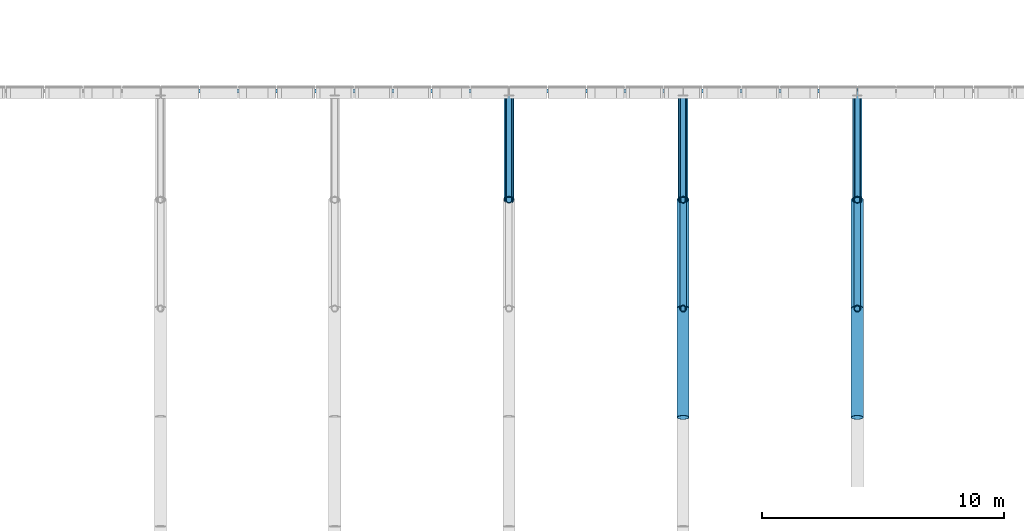
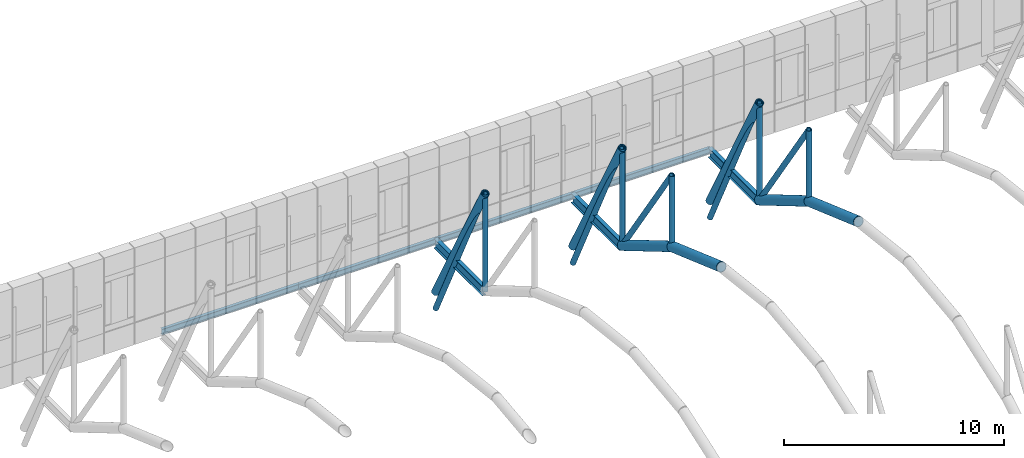
# One storey, part 36 of 144: 17 members, 7 beams.
"""IFC4 building model written with IfcOpenShell, lengths in metres."""

import ifcopenshell
import ifcopenshell.guid

model = None  # the IFC model being written
_history = None  # IfcOwnerHistory: only IFC2X3 demands one
_inside = {}  # id of a spatial element -> (the spatial element, [elements in it])
_under = {}  # id of a project, library or spatial element -> (it, [spatial elements below it])
_declared = {}  # id of a project -> (the project, [libraries it declares])
_typed = {}  # id of a type object -> (the type object, [elements of that type])
_made_of = {}  # id of a material, layer set ... -> (it, [elements and type objects made of it])


def new_model(schema):
    """Start an empty IFC model of exactly this schema.

    Asked for "IFC4X3", IfcOpenShell would pick the latest addendum, in which some entities
    have other attributes; the version numbers below select the first issue.
    IFC2X3 requires an IfcOwnerHistory on every rooted entity: one is made here for all.
    """
    global model, _history
    if schema == "IFC4X3":
        model = ifcopenshell.file(schema_version=(4, 3, 0, 0))
    else:
        model = ifcopenshell.file(schema=schema)
    _inside.clear()
    _under.clear()
    _declared.clear()
    _typed.clear()
    _made_of.clear()
    _history = None
    if model.schema == "IFC2X3":
        org = make("IfcOrganization", Name="unknown")
        user = make(
            "IfcPersonAndOrganization",
            ThePerson=make("IfcPerson", FamilyName="unknown"),
            TheOrganization=org,
        )
        app = make(
            "IfcApplication",
            ApplicationDeveloper=org,
            Version="unknown",
            ApplicationFullName="unknown",
            ApplicationIdentifier="unknown",
        )
        _history = make(
            "IfcOwnerHistory",
            OwningUser=user,
            OwningApplication=app,
            ChangeAction="ADDED",
            CreationDate=0,
        )
    return model


def make(cls, **values):
    """One entity of the class cls with the attributes given. An attribute that is None is left unset."""
    return model.create_entity(
        cls, **{name: value for name, value in values.items() if value is not None}
    )


def rooted(cls, **values):
    """An entity with a GlobalId (a new one), such as an element, a storey or a relation."""
    return make(cls, GlobalId=ifcopenshell.guid.new(), OwnerHistory=_history, **values)


def si_unit(unit_type, name, prefix=None):
    """IfcSIUnit, for example si_unit("LENGTHUNIT", "METRE", prefix="MILLI")."""
    return make("IfcSIUnit", UnitType=unit_type, Prefix=prefix, Name=name)


def assignment(units):
    """IfcUnitAssignment: the units of a project."""
    return None if units is None else make("IfcUnitAssignment", Units=units)


def point(xyz):
    """IfcCartesianPoint."""
    return None if xyz is None else make("IfcCartesianPoint", Coordinates=xyz)


def direction(xyz):
    """IfcDirection."""
    return None if xyz is None else make("IfcDirection", DirectionRatios=xyz)


def frame(location, z_axis=None, x_axis=None):
    """IfcAxis2Placement3D, a coordinate frame: its origin and axes. An axis left out is left unset."""
    return make(
        "IfcAxis2Placement3D",
        Location=point(location),
        Axis=direction(z_axis),
        RefDirection=direction(x_axis),
    )


def frame_2d(location, x_axis=None):
    """IfcAxis2Placement2D, a coordinate frame in the plane: its origin and x axis."""
    return make(
        "IfcAxis2Placement2D", Location=point(location), RefDirection=direction(x_axis)
    )


def origin():
    """The frame at (0, 0, 0) with its axes left unset."""
    return frame((0.0, 0.0, 0.0))


def origin_2d():
    """The frame at (0, 0) in the plane with its x axis left unset."""
    return frame_2d((0.0, 0.0))


def place(relative_to, where):
    """IfcLocalPlacement: puts the frame where relative to a parent placement (None: the world)."""
    return make(
        "IfcLocalPlacement", PlacementRelTo=relative_to, RelativePlacement=where
    )


def context(
    kind, dimensions, precision=None, world=None, true_north=None, identifier=None
):
    """IfcGeometricRepresentationContext, for example the 3D "Model" context."""
    return make(
        "IfcGeometricRepresentationContext",
        ContextIdentifier=identifier,
        ContextType=kind,
        CoordinateSpaceDimension=dimensions,
        Precision=precision,
        WorldCoordinateSystem=world,
        TrueNorth=true_north,
    )


def subcontext(parent, identifier, kind, view, scale=None):
    """IfcGeometricRepresentationSubContext, for example "Body" below "Model"."""
    return make(
        "IfcGeometricRepresentationSubContext",
        ContextIdentifier=identifier,
        ContextType=kind,
        ParentContext=parent,
        TargetScale=scale,
        TargetView=view,
    )


def project(units=None, contexts=None):
    """IfcProject with its units and contexts."""
    return rooted(
        "IfcProject",
        Name="project",
        RepresentationContexts=contexts,
        UnitsInContext=assignment(units),
    )


def spatial(cls, under=None, at=None, **own):
    """A site, building, storey or space (cls), placed at a placement, below another one or the project."""
    s = rooted(cls, ObjectPlacement=at, **own)
    if under is not None:
        _under.setdefault(under.id(), (under, []))[1].append(s)
    return s


def profile(cls, at=None, kind="AREA", **sizes):
    """A parametric profile (cls). Its sizes go by their IFC names, for example OverallWidth=200.0."""
    return make(cls, ProfileType=kind, Position=at, **sizes)


def hollow_circle(**sizes):
    """IfcCircleHollowProfileDef."""
    return profile("IfcCircleHollowProfileDef", **sizes)


def i_section(**sizes):
    """IfcIShapeProfileDef."""
    return profile("IfcIShapeProfileDef", **sizes)


def extrude(swept, where, along, depth):
    """IfcExtrudedAreaSolid: the profile swept, set in the frame where, extruded along a direction by depth."""
    return make(
        "IfcExtrudedAreaSolid",
        SweptArea=swept,
        Position=where,
        ExtrudedDirection=direction(along),
        Depth=depth,
    )


def shape(context_of_items, identifier, shape_type, items):
    """IfcShapeRepresentation: the items that make up one representation, for example the "Body"."""
    return make(
        "IfcShapeRepresentation",
        ContextOfItems=context_of_items,
        RepresentationIdentifier=identifier,
        RepresentationType=shape_type,
        Items=items,
    )


def material(Name=None, Category=None):
    """IfcMaterial."""
    return make("IfcMaterial", Name=Name, Category=Category)


def material_profile(
    of_material, cross_section, Name=None, Category=None, Priority=None
):
    """IfcMaterialProfile: a cross section and its material."""
    return make(
        "IfcMaterialProfile",
        Name=Name,
        Material=of_material,
        Profile=cross_section,
        Priority=Priority,
        Category=Category,
    )


def profile_set(profiles, Name=None, composite=None):
    """IfcMaterialProfileSet."""
    return make(
        "IfcMaterialProfileSet",
        Name=Name,
        MaterialProfiles=profiles,
        CompositeProfile=composite,
    )


def made_of(thing, what):
    """Note that an element or type object is made of a material, layer set ...; save() writes the relation."""
    if what is not None:
        _made_of.setdefault(what.id(), (what, []))[1].append(thing)
    return thing


def type_object(cls, material=None, **own):
    """A type object (cls), such as IfcWallType, which elements share."""
    return made_of(rooted(cls, **own), material)


def element(
    cls,
    number,
    at=None,
    inside=None,
    cuts=None,
    type_object=None,
    material=None,
    context=None,
    identifier="Body",
    shape_type=None,
    held_by="IfcProductDefinitionShape",
    body=None,
    shapes=None,
    **own,
):
    """One element of the class cls, such as IfcWall. Its Tag is "e" and its number.

    at: its placement. inside: the storey or other place that contains it. cuts: it is an
    opening in that element (IfcRelVoidsElement). A single representation is given by context,
    identifier, shape_type and body (its items); several are given by shapes. held_by: the class
    of the entity that holds the representations. save() writes the other relations.
    """
    e = rooted(cls, Tag="e%d" % number, ObjectPlacement=at, **own)
    if body is not None:
        shapes = [shape(context, identifier, shape_type, body)]
    if shapes is not None:
        e.Representation = make(held_by, Representations=shapes)
    if inside is not None:
        _inside.setdefault(inside.id(), (inside, []))[1].append(e)
    if cuts is not None:
        rooted(
            "IfcRelVoidsElement", RelatingBuildingElement=cuts, RelatedOpeningElement=e
        )
    if type_object is not None:
        _typed.setdefault(type_object.id(), (type_object, []))[1].append(e)
    return made_of(e, material)


def aggregate(whole, parts):
    """IfcRelAggregates: a whole, such as a stair, and the parts it consists of."""
    return rooted("IfcRelAggregates", RelatingObject=whole, RelatedObjects=parts)


def save(model, path):
    """Write the relations noted so far, then the file.

    IfcRelAggregates (storeys below a building ...), IfcRelContainedInSpatialStructure (elements
    in a storey), IfcRelDefinesByType, IfcRelAssociatesMaterial and IfcRelDeclares: one each for
    every whole, place, type object, material and project.
    """
    for whole, parts in _under.values():
        aggregate(whole, parts)
    for where, things in _inside.values():
        rooted(
            "IfcRelContainedInSpatialStructure",
            RelatedElements=things,
            RelatingStructure=where,
        )
    for kind, things in _typed.values():
        rooted("IfcRelDefinesByType", RelatedObjects=things, RelatingType=kind)
    for what, things in _made_of.values():
        rooted("IfcRelAssociatesMaterial", RelatedObjects=things, RelatingMaterial=what)
    for by, libraries in _declared.values():
        rooted("IfcRelDeclares", RelatingContext=by, RelatedDefinitions=libraries)
    model.write(path)


model = new_model("IFC4")

# Units and contexts
model_context = context("Model", 3, precision=1e-05, world=origin(), true_north=direction((0.0, 1.0)))
body_context = subcontext(model_context, "Body", "Model", "MODEL_VIEW")
ifc_project = project(units=[si_unit("LENGTHUNIT", "METRE"), si_unit("AREAUNIT", "SQUARE_METRE"), si_unit("VOLUMEUNIT", "CUBIC_METRE"), si_unit("PLANEANGLEUNIT", "RADIAN"), si_unit("MASSUNIT", "GRAM", prefix="KILO")], contexts=[model_context])

# Site, building, storey
site_placement = place(None, origin())
site = spatial("IfcSite", under=ifc_project, at=site_placement, CompositionType="ELEMENT")
building_placement = place(site_placement, origin())
building = spatial("IfcBuilding", under=site, at=building_placement, Name="Yarey Park Central Fire Station", CompositionType="ELEMENT")
storey_placement = place(building_placement, frame((0.0, 0.0, 10.199951171875)))
storey = spatial("IfcBuildingStorey", under=building, at=storey_placement, Name="L03", CompositionType="ELEMENT", Elevation=10.199951171875)

# Beams
ifc_material_1 = material(Name="Steel ASTM A992 Gr. 50", Category="steel")
ifc_material_profile_1 = material_profile(ifc_material_1, i_section(OverallWidth=0.208984375, OverallDepth=0.532958984375, WebThickness=0.01025390625, FlangeThickness=0.015625, at=origin_2d()), Name="W530x92")
ifc_profile_set_1 = profile_set([ifc_material_profile_1], Name="Steel ASTM A992 Gr. 50")
beam_type_1 = type_object("IfcBeamType", Name="STR_BM_W530", PredefinedType="BEAM", material=ifc_profile_set_1)
for number, where, z_axis, x_axis, name in (
    (1, (86.39990234375, 89.199951171875, -0.54638671875), (0.0, 1.0, 0.0), (-1.0, 0.0, 0.0), "V2 BOX OUT N L03 86"),
    (2, (93.60009765625, 89.199951171875, -0.54638671875), (0.0, 1.0, 0.0), (-1.0, 0.0, 0.0), "V2 BOX OUT N L03 93"),
    (3, (100.800048828125, 89.199951171875, -0.54638671875), (0.0, 1.0, 0.0), (-1.0, 0.0, 0.0), "V2 BOX OUT N L03 100"),
):
    element("IfcBeam", number, at=place(storey_placement, frame(where, z_axis=z_axis, x_axis=x_axis)), inside=storey, type_object=beam_type_1, Name=name, PredefinedType="BEAM", context=body_context, shape_type="SweptSolid", body=[
        extrude(i_section(OverallWidth=0.208984375, OverallDepth=0.532958984375, WebThickness=0.01025390625, FlangeThickness=0.015625, at=origin_2d()), origin(), (0.0, 0.0, 1.0), 4.400146484375),
    ])

# Members
ifc_material_2 = material(Name="Steel ASTM A500 Gr. C", Category="steel")
ifc_material_profile_2 = material_profile(ifc_material_2, hollow_circle(Radius=0.203125, WallThickness=0.01611328125, at=origin_2d()), Name="CHS 406.4x16")
ifc_profile_set_2 = profile_set([ifc_material_profile_2], Name="Steel ASTM A500 Gr. C")
member_type_1 = type_object("IfcMemberType", Name="STR_CHORD_CHS406", PredefinedType="CHORD", material=ifc_profile_set_2)
for number, where, z_axis, x_axis, name in (
    (4, (86.39990234375, 89.10009765625, 4.91748046875), (0.0, 0.481210036658, -0.876605327738), (-1.0, 0.0, 0.0), "Arched Roof Truss ART_05 Top Chord 8"),
    (5, (93.60009765625, 89.10009765625, 4.91748046875), (0.0, 0.481210036658, -0.876605327738), (-1.0, 0.0, 0.0), "Arched Roof Truss ART_06 Top Chord 8"),
    (6, (100.800048828125, 89.10009765625, 4.91748046875), (0.0, 0.481210036658, -0.876605327738), (-1.0, 0.0, 0.0), "Arched Roof Truss ART_07 Top Chord 8"),
):
    element("IfcMember", number, at=place(storey_placement, frame(where, z_axis=z_axis, x_axis=x_axis)), inside=storey, type_object=member_type_1, Name=name, PredefinedType="CHORD", context=body_context, shape_type="SweptSolid", body=[
        extrude(hollow_circle(Radius=0.203125, WallThickness=0.01611328125, at=origin_2d()), origin(), (0.0, 0.0, 1.0), 9.351318359375),
    ])
ifc_material_profile_3 = material_profile(ifc_material_2, hollow_circle(Radius=0.25390625, WallThickness=0.02001953125, at=origin_2d()), Name="CHS 508x20")
ifc_profile_set_3 = profile_set([ifc_material_profile_3], Name="Steel ASTM A500 Gr. C")
member_type_2 = type_object("IfcMemberType", Name="STR_CHORD_CHS508", PredefinedType="CHORD", material=ifc_profile_set_3)
member_1_placement = place(storey_placement, frame((93.60009765625, 80.10009765625, 3.768798828125), z_axis=(0.0, 0.942627225161, -0.333847142245), x_axis=(-1.0, 0.0, 0.0)))
element("IfcMember", 7, at=member_1_placement, inside=storey, type_object=member_type_2, Name="Arched Roof Truss ART_06 Bottom Chord 6", PredefinedType="CHORD", context=body_context, shape_type="SweptSolid", body=[
    extrude(hollow_circle(Radius=0.25390625, WallThickness=0.02001953125, at=origin_2d()), origin(), (0.0, 0.0, 1.0), 4.77392578125),
])
member_2_placement = place(storey_placement, frame((93.60009765625, 84.60009765625, 2.175048828125), z_axis=(0.0, 0.8611645473, -0.508326295281), x_axis=(-1.0, 0.0, 0.0)))
element("IfcMember", 8, at=member_2_placement, inside=storey, type_object=member_type_2, Name="Arched Roof Truss ART_06 Bottom Chord 7", PredefinedType="CHORD", context=body_context, shape_type="SweptSolid", body=[
    extrude(hollow_circle(Radius=0.25390625, WallThickness=0.02001953125, at=origin_2d()), origin(), (0.0, 0.0, 1.0), 5.2255859375),
])
member_3_placement = place(storey_placement, frame((100.800048828125, 80.10009765625, 3.768798828125), z_axis=(0.0, 0.942627225161, -0.333847142245), x_axis=(-1.0, 0.0, 0.0)))
element("IfcMember", 9, at=member_3_placement, inside=storey, type_object=member_type_2, Name="Arched Roof Truss ART_07 Bottom Chord 6", PredefinedType="CHORD", context=body_context, shape_type="SweptSolid", body=[
    extrude(hollow_circle(Radius=0.25390625, WallThickness=0.02001953125, at=origin_2d()), origin(), (0.0, 0.0, 1.0), 4.77392578125),
])
member_4_placement = place(storey_placement, frame((100.800048828125, 84.60009765625, 2.175048828125), z_axis=(0.0, 0.8611645473, -0.508326295281), x_axis=(-1.0, 0.0, 0.0)))
element("IfcMember", 10, at=member_4_placement, inside=storey, type_object=member_type_2, Name="Arched Roof Truss ART_07 Bottom Chord 7", PredefinedType="CHORD", context=body_context, shape_type="SweptSolid", body=[
    extrude(hollow_circle(Radius=0.25390625, WallThickness=0.02001953125, at=origin_2d()), origin(), (0.0, 0.0, 1.0), 5.2255859375),
])

# Beams
ifc_material_profile_4 = material_profile(ifc_material_1, i_section(OverallWidth=0.1650390625, OverallDepth=0.31005859375, WebThickness=0.005859375, FlangeThickness=0.009765625, at=origin_2d()), Name="W310x39")
ifc_profile_set_4 = profile_set([ifc_material_profile_4], Name="Steel ASTM A992 Gr. 50")
beam_type_2 = type_object("IfcBeamType", Name="STR_SPN_W310", PredefinedType="SPANDREL", material=ifc_profile_set_4)
for number, where, z_axis, x_axis, name in (
    (11, (72.0, 93.60009765625, -0.43505859375), (1.0, 0.0, 0.0), (0.0, 1.0, 0.0), "V2 BOX GIRT N B1 03"),
    (12, (79.199951171875, 93.60009765625, -0.43505859375), (1.0, 0.0, 0.0), (0.0, 1.0, 0.0), "V2 BOX GIRT N B1 04"),
):
    element("IfcBeam", number, at=place(storey_placement, frame(where, z_axis=z_axis, x_axis=x_axis)), inside=storey, type_object=beam_type_2, Name=name, PredefinedType="SPANDREL", context=body_context, shape_type="SweptSolid", body=[
        extrude(i_section(OverallWidth=0.1650390625, OverallDepth=0.31005859375, WebThickness=0.005859375, FlangeThickness=0.009765625, at=origin_2d()), origin(), (0.0, 0.0, 1.0), 7.199951171875),
    ])
beam_1_placement = place(storey_placement, frame((86.39990234375, 93.60009765625, -0.43505859375), z_axis=(1.0, 0.0, 0.0), x_axis=(0.0, 1.0, 0.0)))
element("IfcBeam", 13, at=beam_1_placement, inside=storey, type_object=beam_type_2, Name="V2 BOX GIRT N B1 05", PredefinedType="SPANDREL", context=body_context, shape_type="SweptSolid", body=[
    extrude(i_section(OverallWidth=0.1650390625, OverallDepth=0.31005859375, WebThickness=0.005859375, FlangeThickness=0.009765625, at=origin_2d()), origin(), (0.0, 0.0, 1.0), 7.2001953125),
])
beam_2_placement = place(storey_placement, frame((93.60009765625, 93.60009765625, -0.43505859375), z_axis=(1.0, 0.0, 0.0), x_axis=(0.0, 1.0, 0.0)))
element("IfcBeam", 14, at=beam_2_placement, inside=storey, type_object=beam_type_2, Name="V2 BOX GIRT N B1 06", PredefinedType="SPANDREL", context=body_context, shape_type="SweptSolid", body=[
    extrude(i_section(OverallWidth=0.1650390625, OverallDepth=0.31005859375, WebThickness=0.005859375, FlangeThickness=0.009765625, at=origin_2d()), origin(), (0.0, 0.0, 1.0), 7.199951171875),
])

# Members
ifc_material_profile_5 = material_profile(ifc_material_2, hollow_circle(Radius=0.136474609375, WallThickness=0.012451171875, at=origin_2d()), Name="CHS 273x12.5")
ifc_profile_set_5 = profile_set([ifc_material_profile_5], Name="Steel ASTM A500 Gr. C")
member_type_3 = type_object("IfcMemberType", Name="STR_WEB_CHS273", PredefinedType="BRACE", material=ifc_profile_set_5)
member_5_placement = place(storey_placement, frame((86.39990234375, 89.10009765625, 4.91748046875), z_axis=(0.0, 0.442587736107, -0.89672520643), x_axis=(-1.0, 0.0, 0.0)))
element("IfcMember", 15, at=member_5_placement, inside=storey, type_object=member_type_3, Name="Arched Roof Truss ART_05 Diagonal 8", PredefinedType="BRACE", context=body_context, shape_type="SweptSolid", body=[
    extrude(hollow_circle(Radius=0.136474609375, WallThickness=0.012451171875, at=origin_2d()), origin(), (0.0, 0.0, 1.0), 10.16748046875),
])
member_6_placement = place(storey_placement, frame((86.39990234375, 89.10009765625, -0.481201171875), z_axis=(0.0, 0.0, 1.0), x_axis=(1.0, 0.0, 0.0)))
element("IfcMember", 16, at=member_6_placement, inside=storey, type_object=member_type_3, Name="Arched Roof Truss ART_05 Vertical 8", PredefinedType="BRACE", context=body_context, shape_type="SweptSolid", body=[
    extrude(hollow_circle(Radius=0.136474609375, WallThickness=0.012451171875, at=origin_2d()), origin(), (0.0, 0.0, 1.0), 5.398681640625),
])
member_7_placement = place(storey_placement, frame((93.60009765625, 84.60009765625, 6.14013671875), z_axis=(0.0, 0.562095632178, -0.82707224611), x_axis=(-1.0, 0.0, 0.0)))
element("IfcMember", 17, at=member_7_placement, inside=storey, type_object=member_type_3, Name="Arched Roof Truss ART_06 Diagonal 7", PredefinedType="BRACE", context=body_context, shape_type="SweptSolid", body=[
    extrude(hollow_circle(Radius=0.136474609375, WallThickness=0.012451171875, at=origin_2d()), origin(), (0.0, 0.0, 1.0), 8.005859375),
])
member_8_placement = place(storey_placement, frame((93.60009765625, 89.10009765625, 4.91748046875), z_axis=(0.0, 0.442587736107, -0.89672520643), x_axis=(-1.0, 0.0, 0.0)))
element("IfcMember", 18, at=member_8_placement, inside=storey, type_object=member_type_3, Name="Arched Roof Truss ART_06 Diagonal 8", PredefinedType="BRACE", context=body_context, shape_type="SweptSolid", body=[
    extrude(hollow_circle(Radius=0.136474609375, WallThickness=0.012451171875, at=origin_2d()), origin(), (0.0, 0.0, 1.0), 10.16748046875),
])
member_9_placement = place(storey_placement, frame((93.60009765625, 84.60009765625, 2.175048828125), z_axis=(0.0, 0.0, 1.0), x_axis=(1.0, 0.0, 0.0)))
element("IfcMember", 19, at=member_9_placement, inside=storey, type_object=member_type_3, Name="Arched Roof Truss ART_06 Vertical 7", PredefinedType="BRACE", context=body_context, shape_type="SweptSolid", body=[
    extrude(hollow_circle(Radius=0.136474609375, WallThickness=0.012451171875, at=origin_2d()), origin(), (0.0, 0.0, 1.0), 3.965087890625),
])
member_10_placement = place(storey_placement, frame((93.60009765625, 89.10009765625, -0.481201171875), z_axis=(0.0, 0.0, 1.0), x_axis=(1.0, 0.0, 0.0)))
element("IfcMember", 20, at=member_10_placement, inside=storey, type_object=member_type_3, Name="Arched Roof Truss ART_06 Vertical 8", PredefinedType="BRACE", context=body_context, shape_type="SweptSolid", body=[
    extrude(hollow_circle(Radius=0.136474609375, WallThickness=0.012451171875, at=origin_2d()), origin(), (0.0, 0.0, 1.0), 5.398681640625),
])
member_11_placement = place(storey_placement, frame((100.800048828125, 84.60009765625, 6.14013671875), z_axis=(0.0, 0.562095632178, -0.82707224611), x_axis=(-1.0, 0.0, 0.0)))
element("IfcMember", 21, at=member_11_placement, inside=storey, type_object=member_type_3, Name="Arched Roof Truss ART_07 Diagonal 7", PredefinedType="BRACE", context=body_context, shape_type="SweptSolid", body=[
    extrude(hollow_circle(Radius=0.136474609375, WallThickness=0.012451171875, at=origin_2d()), origin(), (0.0, 0.0, 1.0), 8.005859375),
])
member_12_placement = place(storey_placement, frame((100.800048828125, 89.10009765625, 4.91748046875), z_axis=(0.0, 0.442587736107, -0.89672520643), x_axis=(-1.0, 0.0, 0.0)))
element("IfcMember", 22, at=member_12_placement, inside=storey, type_object=member_type_3, Name="Arched Roof Truss ART_07 Diagonal 8", PredefinedType="BRACE", context=body_context, shape_type="SweptSolid", body=[
    extrude(hollow_circle(Radius=0.136474609375, WallThickness=0.012451171875, at=origin_2d()), origin(), (0.0, 0.0, 1.0), 10.16748046875),
])
member_13_placement = place(storey_placement, frame((100.800048828125, 84.60009765625, 2.175048828125), z_axis=(0.0, 0.0, 1.0), x_axis=(1.0, 0.0, 0.0)))
element("IfcMember", 23, at=member_13_placement, inside=storey, type_object=member_type_3, Name="Arched Roof Truss ART_07 Vertical 7", PredefinedType="BRACE", context=body_context, shape_type="SweptSolid", body=[
    extrude(hollow_circle(Radius=0.136474609375, WallThickness=0.012451171875, at=origin_2d()), origin(), (0.0, 0.0, 1.0), 3.965087890625),
])
member_14_placement = place(storey_placement, frame((100.800048828125, 89.10009765625, -0.481201171875), z_axis=(0.0, 0.0, 1.0), x_axis=(1.0, 0.0, 0.0)))
element("IfcMember", 24, at=member_14_placement, inside=storey, type_object=member_type_3, Name="Arched Roof Truss ART_07 Vertical 8", PredefinedType="BRACE", context=body_context, shape_type="SweptSolid", body=[
    extrude(hollow_circle(Radius=0.136474609375, WallThickness=0.012451171875, at=origin_2d()), origin(), (0.0, 0.0, 1.0), 5.398681640625),
])

save(model, "model.ifc")
